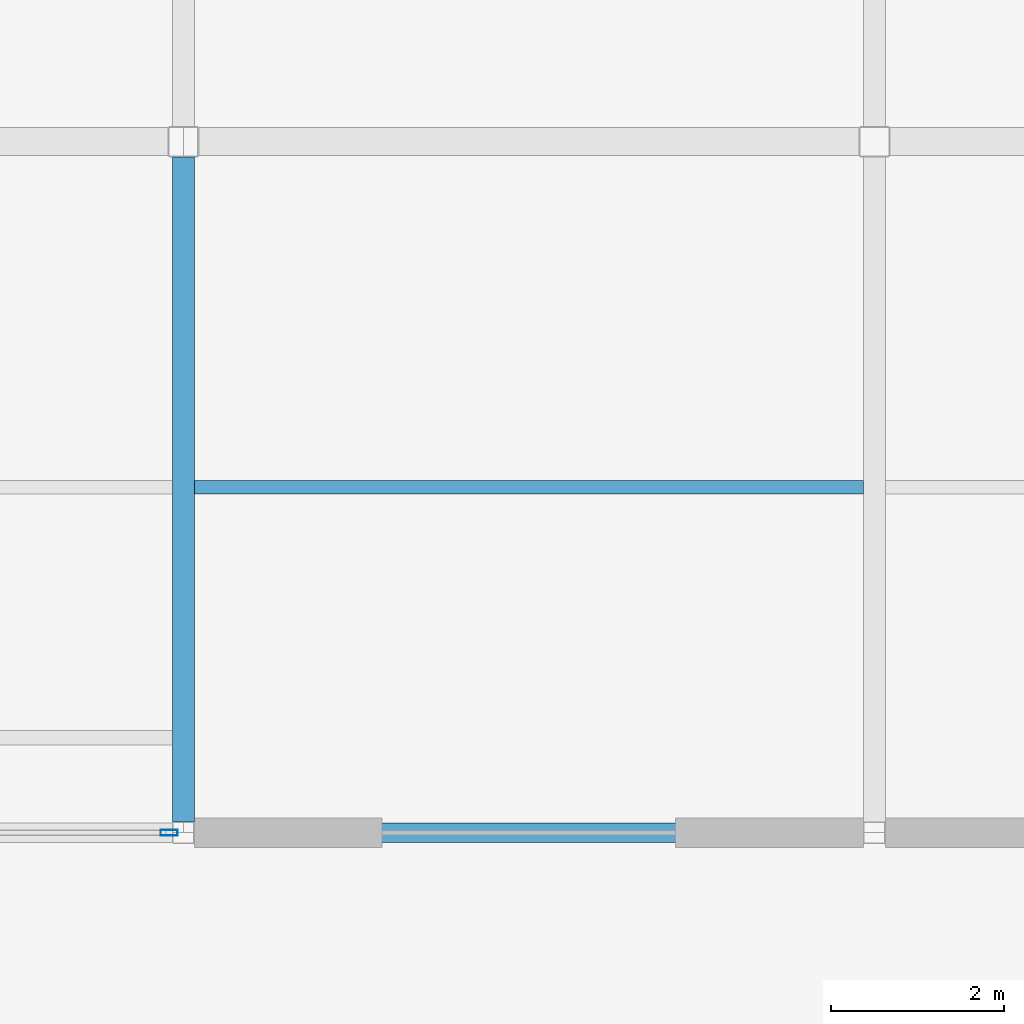
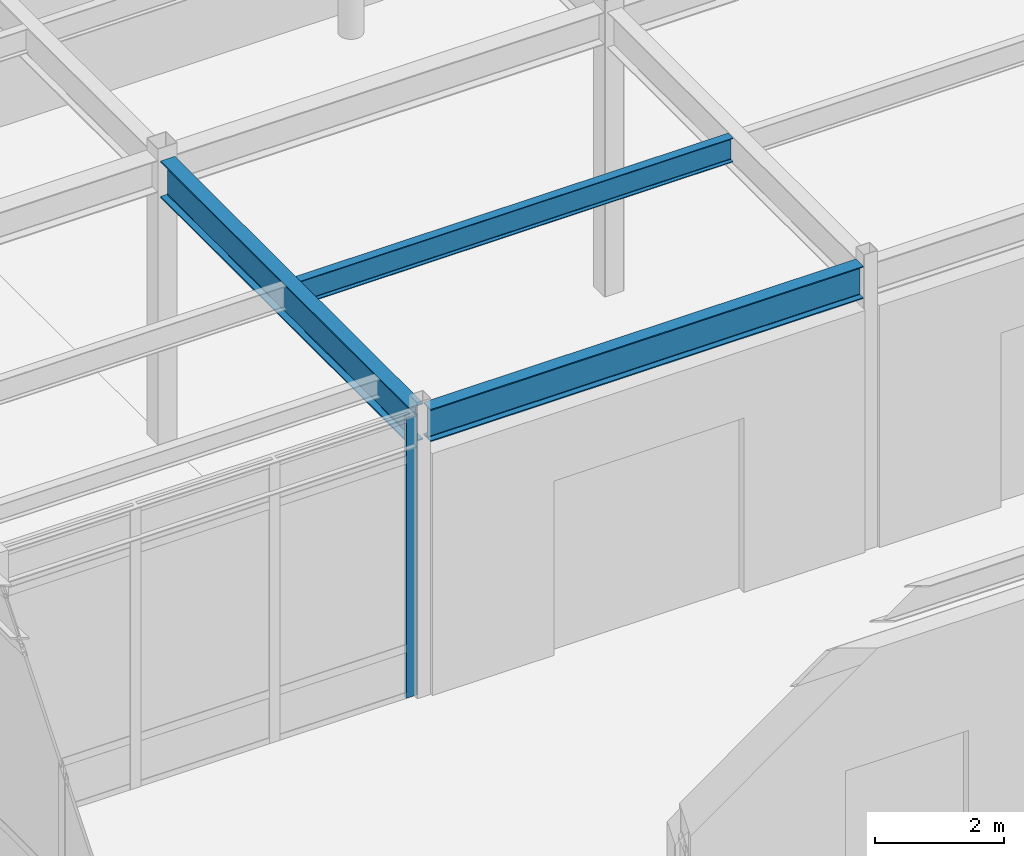
# One storey, part 73 of 128: 3 beams, 1 member, 1 element without a shape of its own.
"""IFC4 building model written with IfcOpenShell, lengths in metres."""

from ifc_helpers import new_model, si_unit, direction, frame, origin, origin_2d, place, context, subcontext, project, spatial, hollow_rectangle, i_section, extrude, material, material_profile, profile_set, type_object, element, aggregate, save


model = new_model("IFC4")

# Units and contexts
model_context = context("Model", 3, precision=1e-05, world=origin(), true_north=direction((0.0, 1.0)))
body_context = subcontext(model_context, "Body", "Model", "MODEL_VIEW")
ifc_project = project(units=[si_unit("LENGTHUNIT", "METRE"), si_unit("AREAUNIT", "SQUARE_METRE"), si_unit("VOLUMEUNIT", "CUBIC_METRE"), si_unit("PLANEANGLEUNIT", "RADIAN"), si_unit("MASSUNIT", "GRAM", prefix="KILO")], contexts=[model_context])

# Site, building, storey
site_placement = place(None, origin())
site = spatial("IfcSite", under=ifc_project, at=site_placement, CompositionType="ELEMENT")
building_placement = place(site_placement, origin())
building = spatial("IfcBuilding", under=site, at=building_placement, Name="Solmirada Galleria", CompositionType="ELEMENT")
storey_placement = place(building_placement, origin())
storey = spatial("IfcBuildingStorey", under=building, at=storey_placement, Name="L00", CompositionType="ELEMENT", Elevation=0.0)

# Beams
ifc_material_1 = material(Name="Steel S355 / ASTM A992 Grade 50", Category="steel")
ifc_material_profile_1 = material_profile(ifc_material_1, i_section(OverallWidth=0.22900390625, OverallDepth=0.612060546875, WebThickness=0.011962890625, FlangeThickness=0.01953125, FilletRadius=0.014892578125, at=origin_2d()), Name="W24X84")
ifc_profile_set_1 = profile_set([ifc_material_profile_1], Name="Steel S355 / ASTM A992 Grade 50")
beam_type_1 = type_object("IfcBeamType", Name="BM-GIRD-W24B", PredefinedType="BEAM", material=ifc_profile_set_1)
beam_1_placement = place(storey_placement, frame((120.126953125, 72.0, 5.073974609375), z_axis=(1.0, 0.0, 0.0), x_axis=(0.0, 1.0, 0.0)))
element("IfcBeam", 1, at=beam_1_placement, inside=storey, type_object=beam_type_1, Name="Primary beam L01 X(120..128, 72)", PredefinedType="BEAM", context=body_context, shape_type="SweptSolid", body=[
    extrude(i_section(OverallWidth=0.22900390625, OverallDepth=0.612060546875, WebThickness=0.011962890625, FlangeThickness=0.01953125, FilletRadius=0.014892578125, at=origin_2d()), origin(), (0.0, 0.0, 1.0), 7.74609375),
])
ifc_material_profile_2 = material_profile(ifc_material_1, i_section(OverallWidth=0.256103515625, OverallDepth=0.693115234375, WebThickness=0.014404296875, FlangeThickness=0.023681640625, FilletRadius=0.01806640625, at=origin_2d()), Name="W27X114")
ifc_profile_set_2 = profile_set([ifc_material_profile_2], Name="Steel S355 / ASTM A992 Grade 50")
beam_type_2 = type_object("IfcBeamType", Name="BM-GIRD-W27A", PredefinedType="BEAM", material=ifc_profile_set_2)
beam_2_placement = place(storey_placement, frame((120.0, 72.126953125, 5.013427734375), z_axis=(0.0, 1.0, 0.0), x_axis=(-1.0, 0.0, 0.0)))
element("IfcBeam", 2, at=beam_2_placement, inside=storey, type_object=beam_type_2, Name="Primary girder L01 Y(120, 72..80)", PredefinedType="BEAM", context=body_context, shape_type="SweptSolid", body=[
    extrude(i_section(OverallWidth=0.256103515625, OverallDepth=0.693115234375, WebThickness=0.014404296875, FlangeThickness=0.023681640625, FilletRadius=0.01806640625, at=origin_2d()), origin(), (0.0, 0.0, 1.0), 7.695068359375),
])
ifc_material_profile_3 = material_profile(ifc_material_1, i_section(OverallWidth=0.153076171875, OverallDepth=0.455078125, WebThickness=0.008056640625, FlangeThickness=0.01318359375, FilletRadius=0.011962890625, at=origin_2d()), Name="W18X40")
ifc_profile_set_3 = profile_set([ifc_material_profile_3], Name="Steel S355 / ASTM A992 Grade 50")
beam_type_3 = type_object("IfcBeamType", Name="BM-JST-W18A", PredefinedType="JOIST", material=ifc_profile_set_3)
beam_3_placement = place(storey_placement, frame((120.1279296875, 76.0, 5.132568359375), z_axis=(1.0, 0.0, 0.0), x_axis=(0.0, 1.0, 0.0)))
element("IfcBeam", 3, at=beam_3_placement, inside=storey, type_object=beam_type_3, Name="Composite floor joist L01 (120..128, 76.0)", PredefinedType="JOIST", context=body_context, shape_type="SweptSolid", body=[
    extrude(i_section(OverallWidth=0.153076171875, OverallDepth=0.455078125, WebThickness=0.008056640625, FlangeThickness=0.01318359375, FilletRadius=0.011962890625, at=origin_2d()), origin(), (0.0, 0.0, 1.0), 7.7451171875),
])

# Curtain wall, member
ifc_material_2 = material(Name="Impact-resistant low-E double glazing", Category="glass")
curtain_wall_type = type_object("IfcCurtainWallType", Name="CW-FZ4-L00-B3-L075", PredefinedType="NOTDEFINED", material=ifc_material_2)
curtain_wall_placement = place(storey_placement, origin())
curtain_wall = element("IfcCurtainWall", 4, at=curtain_wall_placement, inside=storey, type_object=curtain_wall_type, Name="Terrace and arcade storefront CW-L00-015", PredefinedType="NOTDEFINED")
ifc_material_3 = material(Name="Anodised aluminium framing", Category="aluminium")
ifc_material_profile_4 = material_profile(ifc_material_3, hollow_rectangle(XDim=0.070068359375, YDim=0.199951171875, WallThickness=0.004150390625, InnerFilletRadius=0.004150390625, OuterFilletRadius=0.00830078125, at=origin_2d()), Name="ALU-MULL-200X70")
ifc_profile_set_4 = profile_set([ifc_material_profile_4], Name="Anodised aluminium framing")
member_type = type_object("IfcMemberType", Name="CW-MULL-200", PredefinedType="MULLION", material=ifc_profile_set_4)
member_placement = place(storey_placement, frame((119.8359375, 72.0, 0.0), z_axis=(0.0, 0.0, 1.0), x_axis=(0.0, -1.0, 0.0)))
member = element("IfcMember", 5, at=member_placement, type_object=member_type, Name="CW02 mullion 1", PredefinedType="MULLION", context=body_context, shape_type="SweptSolid", body=[
    extrude(hollow_rectangle(XDim=0.070068359375, YDim=0.199951171875, WallThickness=0.004150390625, InnerFilletRadius=0.004150390625, OuterFilletRadius=0.00830078125, at=origin_2d()), origin(), (0.0, 0.0, 1.0), 5.320068359375),
])
aggregate(curtain_wall, [member])

save(model, "model.ifc")
